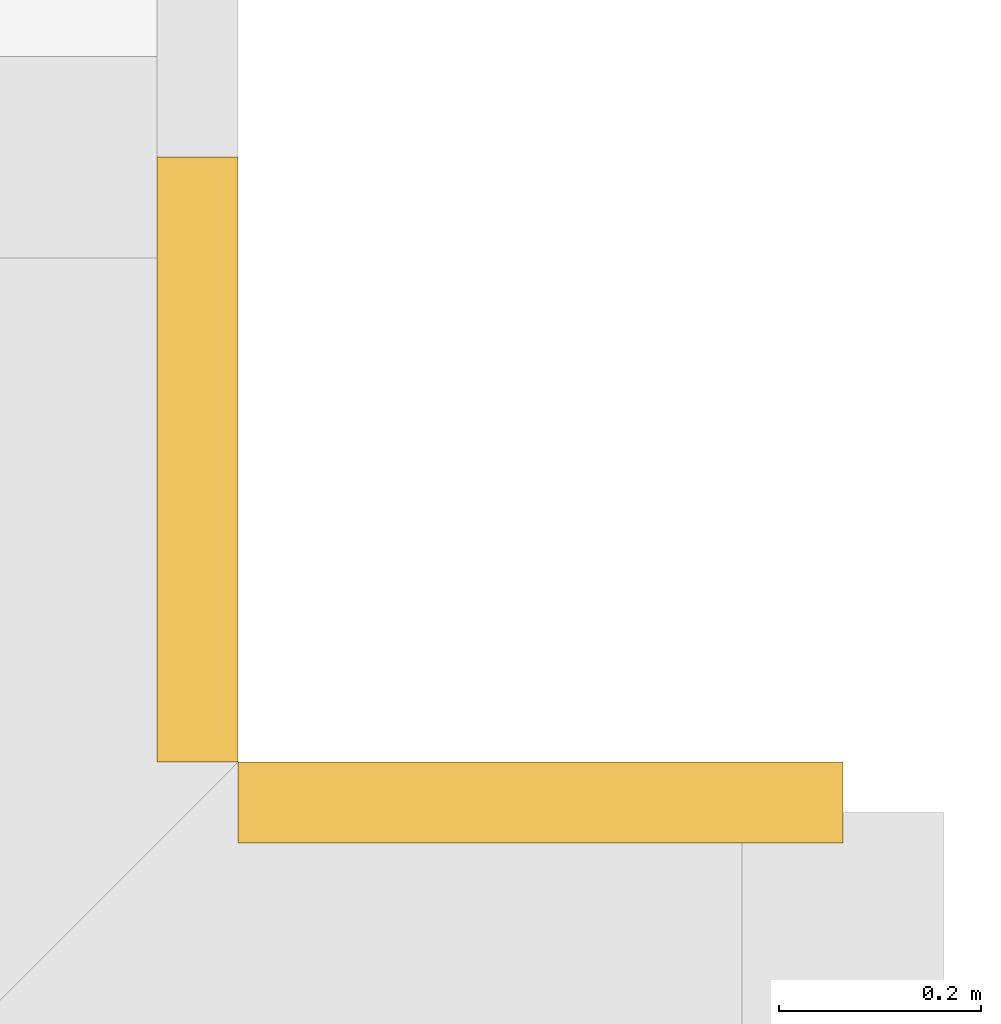
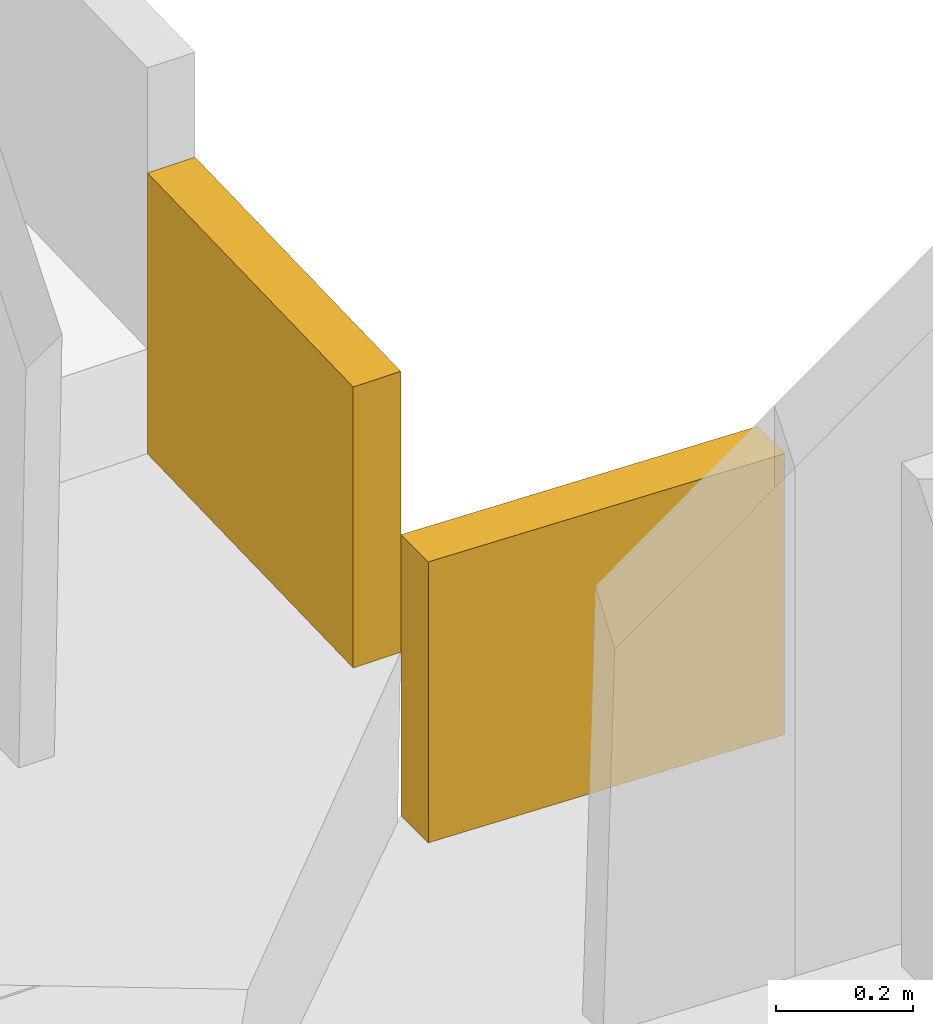
# One storey, part 22 of 22: 2 coverings.
"""IFC4 building model written with IfcOpenShell, lengths in metres."""

from ifc_helpers import new_model, si_unit, direction, frame, origin, place, context, subcontext, project, spatial, polyline, outline, extrude, material, layer, layer_set, type_object, element, save


model = new_model("IFC4")

# Units and contexts
model_context = context("Model", 3, precision=1e-05, world=origin(), true_north=direction((0.0, 1.0)))
body_context = subcontext(model_context, "Body", "Model", "MODEL_VIEW")
ifc_project = project(units=[si_unit("LENGTHUNIT", "METRE"), si_unit("AREAUNIT", "SQUARE_METRE"), si_unit("VOLUMEUNIT", "CUBIC_METRE"), si_unit("PLANEANGLEUNIT", "RADIAN"), si_unit("MASSUNIT", "GRAM", prefix="KILO")], contexts=[model_context])

# Site, building, storey
site_placement = place(None, origin())
site = spatial("IfcSite", under=ifc_project, at=site_placement, CompositionType="ELEMENT")
building_placement = place(site_placement, origin())
building = spatial("IfcBuilding", under=site, at=building_placement, Name="Saffron Gate Tower", CompositionType="ELEMENT")
storey_placement = place(building_placement, frame((0.0, 0.0, 295.949951171875)))
storey = spatial("IfcBuildingStorey", under=building, at=storey_placement, Name="L72", CompositionType="ELEMENT", Elevation=295.949951171875)

# Coverings
ifc_material = material(Name="Timber, thermally modified ash", Category="wood")
ifc_layer = layer(ifc_material, 0.080078125)
ifc_layer_set = layer_set([ifc_layer], Name="LD2 ledge planter trough")
covering_type = type_object("IfcCoveringType", Name="LD2 ledge planter trough", PredefinedType="CLADDING", material=ifc_layer_set)
for number, where, z_axis, x_axis, name in (
    (1, (117.0, 73.199951171875, 0.024658203125), (0.0, 1.0, 0.0), (-0.999583081391, 0.0, 0.028873229772), "LEDGE planter trough"),
    (2, (116.39990234375, 73.199951171875, 0.332763671875), (1.0, 0.0, 0.0), (0.0, 0.999583081391, 0.028873229772), "LEDGE planter trough"),
):
    element("IfcCovering", number, at=place(storey_placement, frame(where, z_axis=z_axis, x_axis=x_axis)), inside=storey, type_object=covering_type, Name=name, PredefinedType="CLADDING", context=body_context, shape_type="SweptSolid", body=[
        extrude(outline(polyline([(0.0, 0.0), (0.6003479524834376, -3.469446951953614e-18), (0.6147845673692678, 0.4997915406953566), (0.014436614885830073, 0.4997915406953566), (0.0, 0.0)])), origin(), (0.0, 0.0, -1.0), 0.080078125),
    ])

save(model, "model.ifc")
